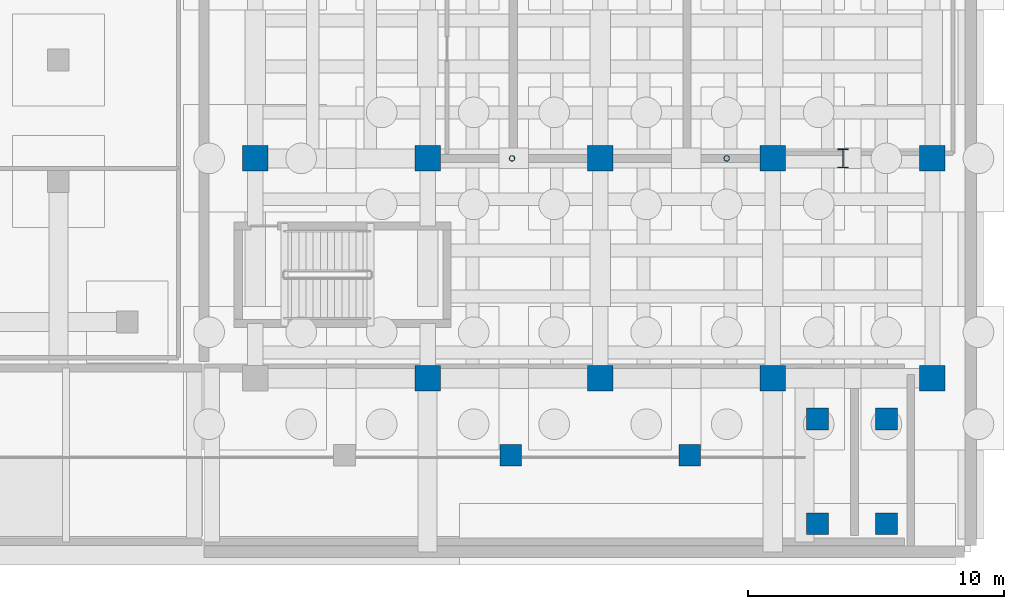
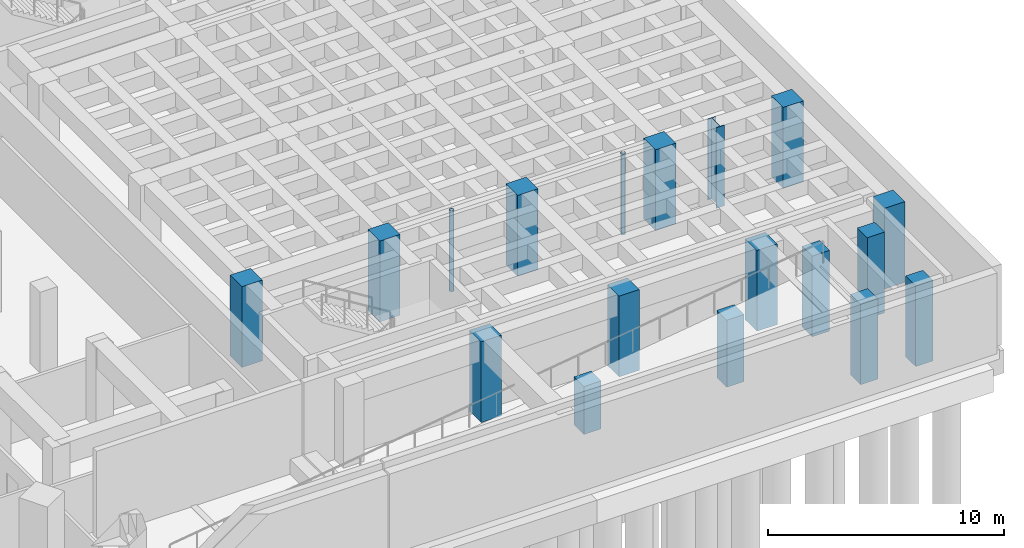
# One storey, part 3 of 15: 18 columns.
"""IFC4 building model written with IfcOpenShell, lengths in metres."""

from ifc_helpers import new_model, si_unit, direction, frame, origin, origin_2d, place, context, subcontext, project, spatial, rectangle, hollow_circle, i_section, extrude, material, material_profile, profile_set, type_object, element, save


model = new_model("IFC4")

# Units and contexts
model_context = context("Model", 3, precision=1e-05, world=origin(), true_north=direction((0.0, 1.0)))
body_context = subcontext(model_context, "Body", "Model", "MODEL_VIEW")
ifc_project = project(units=[si_unit("LENGTHUNIT", "METRE"), si_unit("AREAUNIT", "SQUARE_METRE"), si_unit("VOLUMEUNIT", "CUBIC_METRE"), si_unit("PLANEANGLEUNIT", "RADIAN"), si_unit("MASSUNIT", "GRAM", prefix="KILO")], contexts=[model_context])

# Site, building, storey
site_placement = place(None, origin())
site = spatial("IfcSite", under=ifc_project, at=site_placement, CompositionType="ELEMENT")
building_placement = place(site_placement, origin())
building = spatial("IfcBuilding", under=site, at=building_placement, Name="Korentha Bioscience Tower", CompositionType="ELEMENT")
storey_placement = place(building_placement, frame((0.0, 0.0, -9.0)))
storey = spatial("IfcBuildingStorey", under=building, at=storey_placement, Name="B2", CompositionType="ELEMENT", Elevation=-9.0)

# Columns
ifc_material_1 = material(Name="Concrete C65", Category="concrete")
ifc_material_profile_1 = material_profile(ifc_material_1, rectangle(XDim=0.85009765625, YDim=0.85009765625, at=origin_2d()), Name="Concrete C65")
ifc_profile_set_1 = profile_set([ifc_material_profile_1], Name="Concrete C65 (BC-01)")
column_type_1 = type_object("IfcColumnType", Name="Basement Car Park Column RC 850x850", PredefinedType="COLUMN", material=ifc_profile_set_1)
for number, where, z_axis, x_axis, name in (
    (1, (88.5, 4.10009765625, 0.0), (0.0, 0.0, 1.0), (1.0, 0.0, 0.0), "B2 Ramp Landing Column 1"),
    (2, (91.199951171875, 4.10009765625, 0.0), (0.0, 0.0, 1.0), (1.0, 0.0, 0.0), "B2 Ramp Landing Column 2"),
    (3, (88.5, 8.199951171875, 0.0), (0.0, 0.0, 1.0), (1.0, 0.0, 0.0), "B2 Ramp Landing Column 3"),
    (4, (91.199951171875, 8.199951171875, 0.0), (0.0, 0.0, 1.0), (1.0, 0.0, 0.0), "B2 Ramp Landing Column 4"),
):
    element("IfcColumn", number, at=place(storey_placement, frame(where, z_axis=z_axis, x_axis=x_axis)), inside=storey, type_object=column_type_1, Name=name, PredefinedType="COLUMN", context=body_context, shape_type="SweptSolid", body=[
        extrude(rectangle(XDim=0.85009765625, YDim=0.85009765625, at=origin_2d()), origin(), (0.0, 0.0, 1.0), 4.179931640625),
    ])
column_1_placement = place(storey_placement, frame((76.5, 6.780029296875, 0.0), z_axis=(0.0, 0.0, 1.0), x_axis=(1.0, 0.0, 0.0)))
element("IfcColumn", 5, at=column_1_placement, inside=storey, type_object=column_type_1, Name="Ramp Support Column B2 76", PredefinedType="COLUMN", context=body_context, shape_type="SweptSolid", body=[
    extrude(rectangle(XDim=0.85009765625, YDim=0.85009765625, at=origin_2d()), origin(), (0.0, 0.0, 1.0), 2.48291015625),
])
column_2_placement = place(storey_placement, frame((83.5, 6.780029296875, 0.0), z_axis=(0.0, 0.0, 1.0), x_axis=(1.0, 0.0, 0.0)))
element("IfcColumn", 6, at=column_2_placement, inside=storey, type_object=column_type_1, Name="Ramp Support Column B2 83", PredefinedType="COLUMN", context=body_context, shape_type="SweptSolid", body=[
    extrude(rectangle(XDim=0.85009765625, YDim=0.85009765625, at=origin_2d()), origin(), (0.0, 0.0, 1.0), 3.46728515625),
])
ifc_material_2 = material(Name="Steel S355", Category="steel")
ifc_material_profile_2 = material_profile(ifc_material_2, i_section(OverallWidth=0.39990234375, OverallDepth=0.75, WebThickness=0.01611328125, FlangeThickness=0.028076171875, at=origin_2d()), Name="Steel S355")
ifc_profile_set_2 = profile_set([ifc_material_profile_2], Name="Steel S355 (TC-02)")
column_type_2 = type_object("IfcColumnType", Name="Theatre Fly-Tower Column CVS 750x256", PredefinedType="COLUMN", material=ifc_profile_set_2)
column_3_placement = place(storey_placement, frame((89.5, 18.39990234375, 0.0), z_axis=(0.0, 0.0, 1.0), x_axis=(1.0, 0.0, 0.0)))
element("IfcColumn", 7, at=column_3_placement, inside=storey, type_object=column_type_2, Name="B2 Fly-Tower Steel Column S", PredefinedType="COLUMN", context=body_context, shape_type="SweptSolid", body=[
    extrude(i_section(OverallWidth=0.39990234375, OverallDepth=0.75, WebThickness=0.01611328125, FlangeThickness=0.028076171875, at=origin_2d()), origin(), (0.0, 0.0, 1.0), 4.179931640625),
])
ifc_material_3 = material(Name="Concrete C50", Category="concrete")
ifc_material_profile_3 = material_profile(ifc_material_3, rectangle(XDim=1.0, YDim=1.0, at=origin_2d()), Name="Concrete C50")
ifc_profile_set_3 = profile_set([ifc_material_profile_3], Name="Concrete C50 (TC-I01)")
column_type_3 = type_object("IfcColumnType", Name="Theatre Interior Column RC 1000x1000", PredefinedType="COLUMN", material=ifc_profile_set_3)
for number, where, z_axis, x_axis, name in (
    (8, (66.5, 18.39990234375, 0.0), (0.0, 0.0, 1.0), (1.0, 0.0, 0.0), "B2 Theatre Foundation Column 1-2"),
    (9, (73.25, 9.800048828125, 0.0), (0.0, 0.0, 1.0), (1.0, 0.0, 0.0), "B2 Theatre Foundation Column 2-1"),
    (10, (73.25, 18.39990234375, 0.0), (0.0, 0.0, 1.0), (1.0, 0.0, 0.0), "B2 Theatre Foundation Column 2-2"),
    (11, (80.0, 9.800048828125, 0.0), (0.0, 0.0, 1.0), (1.0, 0.0, 0.0), "B2 Theatre Foundation Column 3-1"),
    (12, (80.0, 18.39990234375, 0.0), (0.0, 0.0, 1.0), (1.0, 0.0, 0.0), "B2 Theatre Foundation Column 3-2"),
    (13, (86.75, 9.800048828125, 0.0), (0.0, 0.0, 1.0), (1.0, 0.0, 0.0), "B2 Theatre Foundation Column 4-1"),
    (14, (86.75, 18.39990234375, 0.0), (0.0, 0.0, 1.0), (1.0, 0.0, 0.0), "B2 Theatre Foundation Column 4-2"),
    (15, (93.0, 9.800048828125, 0.0), (0.0, 0.0, 1.0), (1.0, 0.0, 0.0), "B2 Theatre Foundation Column 5-1"),
    (16, (93.0, 18.39990234375, 0.0), (0.0, 0.0, 1.0), (1.0, 0.0, 0.0), "B2 Theatre Foundation Column 5-2"),
):
    element("IfcColumn", number, at=place(storey_placement, frame(where, z_axis=z_axis, x_axis=x_axis)), inside=storey, type_object=column_type_3, Name=name, PredefinedType="COLUMN", context=body_context, shape_type="SweptSolid", body=[
        extrude(rectangle(XDim=1.0, YDim=1.0, at=origin_2d()), origin(), (0.0, 0.0, 1.0), 4.179931640625),
    ])
ifc_material_profile_4 = material_profile(ifc_material_2, hollow_circle(Radius=0.109619140625, WallThickness=0.012451171875, at=origin_2d()), Name="Steel S355")
ifc_profile_set_4 = profile_set([ifc_material_profile_4], Name="Steel S355 (TC-P219)")
column_type_4 = type_object("IfcColumnType", Name="Theatre Tier Support Post CHS 219.1x12.5", PredefinedType="COLUMN", material=ifc_profile_set_4)
for number, where, z_axis, x_axis, name in (
    (17, (84.949951171875, 18.39990234375, 0.0), (0.0, 0.0, 1.0), (1.0, 0.0, 0.0), "B2 Auditorium Raker Support Column E-18"),
    (18, (76.550048828125, 18.39990234375, 0.0), (0.0, 0.0, 1.0), (1.0, 0.0, 0.0), "B2 Auditorium Raker Support Column W-18"),
):
    element("IfcColumn", number, at=place(storey_placement, frame(where, z_axis=z_axis, x_axis=x_axis)), inside=storey, type_object=column_type_4, Name=name, PredefinedType="COLUMN", context=body_context, shape_type="SweptSolid", body=[
        extrude(hollow_circle(Radius=0.109619140625, WallThickness=0.012451171875, at=origin_2d()), origin(), (0.0, 0.0, 1.0), 4.179931640625),
    ])

save(model, "model.ifc")
